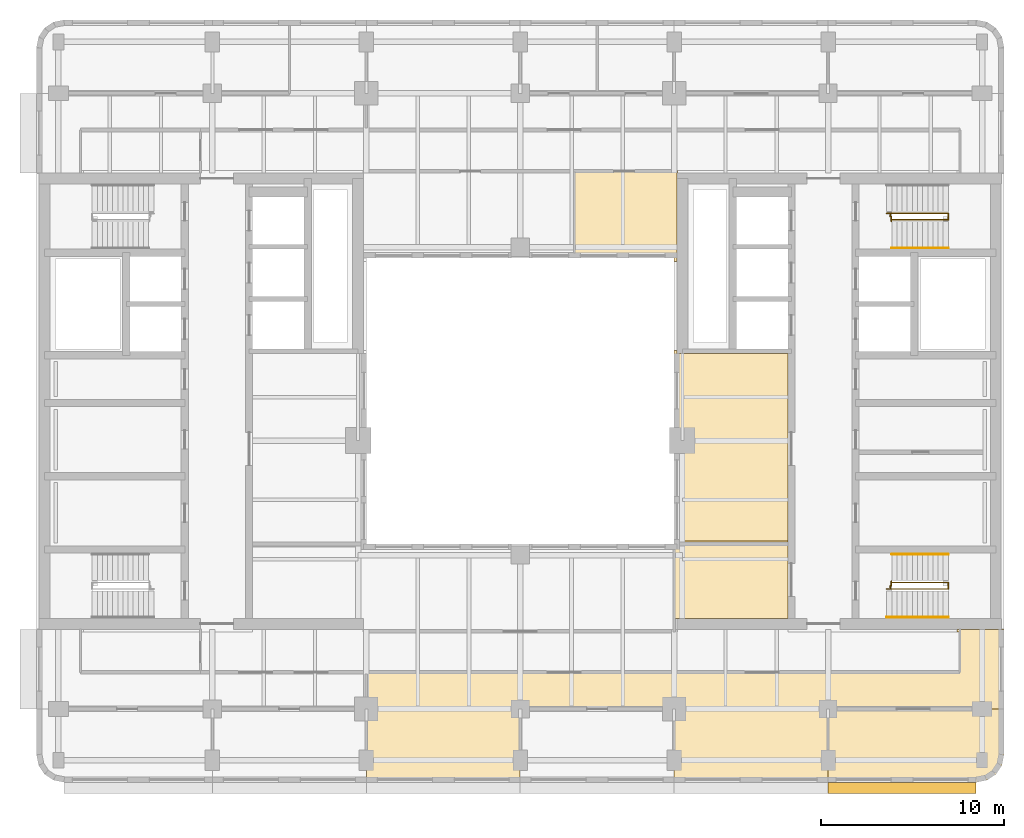
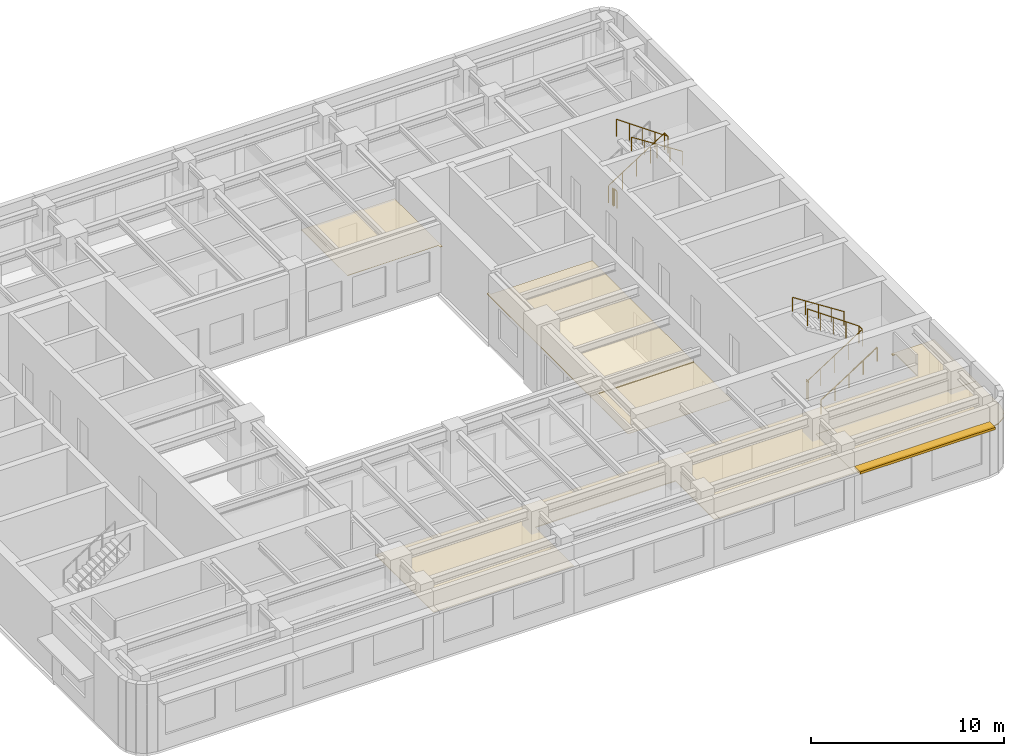
# One storey, part 10 of 11: 7 railings, 5 coverings, 1 shading device.
"""IFC4 building model written with IfcOpenShell, lengths in metres."""

from ifc_helpers import new_model, si_unit, direction, frame, origin, origin_2d, place, context, subcontext, project, spatial, polyline, rectangle, circle, outline, extrude, material, layer, layer_set, type_object, element, save


model = new_model("IFC4")

# Units and contexts
model_context = context("Model", 3, precision=1e-05, world=origin(), true_north=direction((0.0, 1.0)))
body_context = subcontext(model_context, "Body", "Model", "MODEL_VIEW")
ifc_project = project(units=[si_unit("LENGTHUNIT", "METRE"), si_unit("AREAUNIT", "SQUARE_METRE"), si_unit("VOLUMEUNIT", "CUBIC_METRE"), si_unit("PLANEANGLEUNIT", "RADIAN"), si_unit("MASSUNIT", "GRAM", prefix="KILO")], contexts=[model_context])

# Site, building, storey
site_placement = place(None, origin())
site = spatial("IfcSite", under=ifc_project, at=site_placement, CompositionType="ELEMENT")
building_placement = place(site_placement, origin())
building = spatial("IfcBuilding", under=site, at=building_placement, Name="Claustro Exchange Tower", CompositionType="ELEMENT")
storey_placement = place(building_placement, frame((0.0, 0.0, 272.699951171875)))
storey = spatial("IfcBuildingStorey", under=building, at=storey_placement, Name="L62", CompositionType="ELEMENT", Elevation=272.699951171875)

# Coverings
ifc_material_1 = material(Name="Gypsum board ceiling", Category="gypsum board")
ifc_layer_1 = layer(ifc_material_1, 0.02490234375)
ifc_layer_set_1 = layer_set([ifc_layer_1], Name="Gypsum board ceiling")
covering_type_1 = type_object("IfcCoveringType", Name="CL2 plasterboard ceiling", PredefinedType="CEILING", material=ifc_layer_set_1)
covering_1_placement = place(storey_placement, frame((0.0, 0.0, 3.0)))
element("IfcCovering", 1, at=covering_1_placement, inside=storey, type_object=covering_type_1, Name="Ceiling CL2 L62-10", PredefinedType="CEILING", context=body_context, shape_type="SweptSolid", body=[
    extrude(outline(polyline([(33.60009765625, 17.570068359375), (33.60009765625, 13.330078125), (39.800048828125, 13.330078125), (39.800048828125, 17.570068359375), (33.60009765625, 17.570068359375)])), origin(), (0.0, 0.0, 1.0), 0.025146484375),
])
covering_2_placement = place(storey_placement, frame((0.0, 0.0, 3.0)))
element("IfcCovering", 2, at=covering_2_placement, inside=storey, type_object=covering_type_1, Name="Ceiling CL2 L62-14", PredefinedType="CEILING", context=body_context, shape_type="SweptSolid", body=[
    extrude(outline(polyline([(33.60009765625, 33.0), (33.60009765625, 32.830078125), (33.75, 32.830078125), (33.75, 37.64990234375), (33.77001953125, 37.64990234375), (33.77001953125, 37.800048828125), (28.159912109375, 37.800048828125), (28.159912109375, 33.0), (33.60009765625, 33.0)])), origin(), (0.0, 0.0, 1.0), 0.025146484375),
])
ifc_material_2 = material(Name="Oak slats on acoustic backing", Category="wood")
ifc_layer_2 = layer(ifc_material_2, 0.050048828125)
ifc_layer_set_2 = layer_set([ifc_layer_2], Name="Oak slats on acoustic backing")
covering_type_2 = type_object("IfcCoveringType", Name="CL3 timber slat ceiling", PredefinedType="CEILING", material=ifc_layer_set_2)
covering_3_placement = place(storey_placement, frame((0.0, 0.0, 3.0)))
element("IfcCovering", 3, at=covering_3_placement, inside=storey, type_object=covering_type_2, Name="Ceiling CL3 L62-04", PredefinedType="CEILING", context=body_context, shape_type="SweptSolid", body=[
    extrude(outline(polyline([(51.60009765625, 5.89990234375), (51.60009765625, 8.39990234375), (42.0, 8.39990234375), (42.0, 4.39990234375), (50.10009765625, 4.39990234375), (50.674072265625, 4.51416015625), (51.16064453125, 4.83935546875), (51.48583984375, 5.325927734375), (51.60009765625, 5.89990234375)])), origin(), (0.0, 0.0, 1.0), 0.050048828125),
])
covering_4_placement = place(storey_placement, frame((0.0, 0.0, 3.0)))
element("IfcCovering", 4, at=covering_4_placement, inside=storey, type_object=covering_type_2, Name="Ceiling CL3 L62-05", PredefinedType="CEILING", context=body_context, shape_type="SweptSolid", body=[
    extrude(outline(polyline([(51.60009765625, 8.39990234375), (51.60009765625, 12.77001953125), (51.449951171875, 12.77001953125), (51.449951171875, 12.75), (49.030029296875, 12.75), (49.030029296875, 12.60009765625), (49.199951171875, 12.60009765625), (49.199951171875, 10.39990234375), (16.800048828125, 10.39990234375), (16.800048828125, 4.39990234375), (25.199951171875, 4.39990234375), (25.199951171875, 8.39990234375), (33.60009765625, 8.39990234375), (33.60009765625, 4.39990234375), (42.0, 4.39990234375), (42.0, 8.39990234375), (51.60009765625, 8.39990234375)])), origin(), (0.0, 0.0, 1.0), 0.050048828125),
])
covering_5_placement = place(storey_placement, frame((0.0, 0.0, 3.0)))
element("IfcCovering", 5, at=covering_5_placement, inside=storey, type_object=covering_type_2, Name="Ceiling CL3 L62-12", PredefinedType="CEILING", context=body_context, shape_type="SweptSolid", body=[
    extrude(outline(polyline([(33.60009765625, 27.969970703125), (33.60009765625, 17.22998046875), (39.800048828125, 17.22998046875), (39.800048828125, 27.800048828125), (33.75, 27.800048828125), (33.75, 27.969970703125), (33.60009765625, 27.969970703125)])), origin(), (0.0, 0.0, 1.0), 0.050048828125),
])

# Railings
ifc_material_3 = material(Name="Steel balustrade, painted", Category="steel")
railing_type_1 = type_object("IfcRailingType", Name="GR2 1100 steel stair guard", PredefinedType="GUARDRAIL", material=ifc_material_3)
railing_1_placement = place(storey_placement, frame((45.199951171875, 14.949951171875, 0.179931640625)))
element("IfcRailing", 6, at=railing_1_placement, inside=storey, type_object=railing_type_1, Name="Stair well guard GR2 stair STEA L62", PredefinedType="GUARDRAIL", context=body_context, shape_type="SweptSolid", body=[
    extrude(circle(Radius=0.02392578125, at=origin_2d()), frame((0.0, 0.0, 1.076171875), z_axis=(0.8411685463, 0.0, 0.540773036232), x_axis=(0.0, 1.0, 0.0)), (0.0, 0.0, 1.0), 3.99462890625),
    extrude(circle(Radius=0.02392578125, at=origin_2d()), frame((3.360107421875, 0.0, 3.236328125), z_axis=(0.0, 1.0, 0.0), x_axis=(-1.0, 0.0, 0.0)), (0.0, 0.0, 1.0), 0.35009765625),
    extrude(circle(Radius=0.02392578125, at=origin_2d()), frame((3.360107421875, 0.35009765625, 3.236328125), z_axis=(-0.8187499073, 0.0, 0.574150319426), x_axis=(0.0, -1.0, 0.0)), (0.0, 0.0, 1.0), 3.761962890625),
    extrude(circle(Radius=0.02099609375, at=origin_2d()), origin(), (0.0, 0.0, 1.0), 1.052001953125),
    extrude(circle(Radius=0.02099609375, at=origin_2d()), frame((0.840087890625, 0.0, 0.5400390625)), (0.0, 0.0, 1.0), 1.052001953125),
    extrude(circle(Radius=0.02099609375, at=origin_2d()), frame((1.68017578125, 0.0, 1.080078125)), (0.0, 0.0, 1.0), 1.052001953125),
    extrude(circle(Radius=0.02099609375, at=origin_2d()), frame((2.52001953125, 0.0, 1.6201171875)), (0.0, 0.0, 1.0), 1.052001953125),
    extrude(circle(Radius=0.02099609375, at=origin_2d()), frame((3.360107421875, 0.0, 2.16015625)), (0.0, 0.0, 1.0), 1.052001953125),
    extrude(circle(Radius=0.02099609375, at=origin_2d()), frame((3.360107421875, 0.35009765625, 2.16015625)), (0.0, 0.0, 1.0), 1.052001953125),
    extrude(circle(Radius=0.02099609375, at=origin_2d()), frame((2.590087890625, 0.35009765625, 2.7001953125)), (0.0, 0.0, 1.0), 1.052001953125),
    extrude(circle(Radius=0.02099609375, at=origin_2d()), frame((1.820068359375, 0.35009765625, 3.240234375)), (0.0, 0.0, 1.0), 1.052001953125),
    extrude(circle(Radius=0.02099609375, at=origin_2d()), frame((1.050048828125, 0.35009765625, 3.780029296875)), (0.0, 0.0, 1.0), 1.052001953125),
    extrude(circle(Radius=0.02099609375, at=origin_2d()), frame((0.280029296875, 0.35009765625, 4.320068359375)), (0.0, 0.0, 1.0), 1.052001953125),
])
railing_2_placement = place(storey_placement, frame((45.39990234375, 15.02001953125, 0.0)))
element("IfcRailing", 7, at=railing_2_placement, inside=storey, type_object=railing_type_1, Name="Stair guard GR2 STEA L62", PredefinedType="GUARDRAIL", context=body_context, shape_type="SweptSolid", body=[
    extrude(circle(Radius=0.02392578125, at=origin_2d()), frame((0.0, 0.0, 1.076171875), z_axis=(0.0, 1.0, 0.0), x_axis=(-1.0, 0.0, 0.0)), (0.0, 0.0, 1.0), 0.10498046875),
    extrude(circle(Radius=0.02392578125, at=origin_2d()), frame((0.0, 0.10498046875, 1.076171875), z_axis=(1.0, 0.0, 0.0), x_axis=(0.0, 1.0, 0.0)), (0.0, 0.0, 1.0), 0.05517578125),
    extrude(circle(Radius=0.02392578125, at=origin_2d()), frame((0.05517578125, 0.10498046875, 1.076171875), z_axis=(0.0, 1.0, 0.0), x_axis=(-1.0, 0.0, 0.0)), (0.0, 0.0, 1.0), 0.2548828125),
    extrude(circle(Radius=0.02099609375, at=origin_2d()), origin(), (0.0, 0.0, 1.0), 1.052001953125),
    extrude(circle(Radius=0.02099609375, at=origin_2d()), frame((0.0, 0.10498046875, 0.0)), (0.0, 0.0, 1.0), 1.052001953125),
    extrude(circle(Radius=0.02099609375, at=origin_2d()), frame((0.05517578125, 0.10498046875, 0.0)), (0.0, 0.0, 1.0), 1.052001953125),
    extrude(circle(Radius=0.02099609375, at=origin_2d()), frame((0.05517578125, 0.35986328125, 0.0)), (0.0, 0.0, 1.0), 1.052001953125),
])
railing_3_placement = place(storey_placement, frame((45.199951171875, 35.449951171875, 0.179931640625)))
element("IfcRailing", 8, at=railing_3_placement, inside=storey, type_object=railing_type_1, Name="Stair well guard GR2 stair STEB L62", PredefinedType="GUARDRAIL", context=body_context, shape_type="SweptSolid", body=[
    extrude(circle(Radius=0.02392578125, at=origin_2d()), frame((0.0, 0.0, 1.076171875), z_axis=(0.8411685463, 0.0, 0.540773036232), x_axis=(0.0, 1.0, 0.0)), (0.0, 0.0, 1.0), 3.99462890625),
    extrude(circle(Radius=0.02392578125, at=origin_2d()), frame((3.360107421875, 0.0, 3.236328125), z_axis=(0.0, -1.0, 0.0), x_axis=(1.0, 0.0, 0.0)), (0.0, 0.0, 1.0), 0.349853515625),
    extrude(circle(Radius=0.02392578125, at=origin_2d()), frame((3.360107421875, -0.349853515625, 3.236328125), z_axis=(-0.8187499073, 0.0, 0.574150319426), x_axis=(0.0, -1.0, 0.0)), (0.0, 0.0, 1.0), 3.761962890625),
    extrude(circle(Radius=0.02099609375, at=origin_2d()), origin(), (0.0, 0.0, 1.0), 1.052001953125),
    extrude(circle(Radius=0.02099609375, at=origin_2d()), frame((0.840087890625, 0.0, 0.5400390625)), (0.0, 0.0, 1.0), 1.052001953125),
    extrude(circle(Radius=0.02099609375, at=origin_2d()), frame((1.68017578125, 0.0, 1.080078125)), (0.0, 0.0, 1.0), 1.052001953125),
    extrude(circle(Radius=0.02099609375, at=origin_2d()), frame((2.52001953125, 0.0, 1.6201171875)), (0.0, 0.0, 1.0), 1.052001953125),
    extrude(circle(Radius=0.02099609375, at=origin_2d()), frame((3.360107421875, 0.0, 2.16015625)), (0.0, 0.0, 1.0), 1.052001953125),
    extrude(circle(Radius=0.02099609375, at=origin_2d()), frame((3.360107421875, -0.349853515625, 2.16015625)), (0.0, 0.0, 1.0), 1.052001953125),
    extrude(circle(Radius=0.02099609375, at=origin_2d()), frame((2.590087890625, -0.349853515625, 2.7001953125)), (0.0, 0.0, 1.0), 1.052001953125),
    extrude(circle(Radius=0.02099609375, at=origin_2d()), frame((1.820068359375, -0.349853515625, 3.240234375)), (0.0, 0.0, 1.0), 1.052001953125),
    extrude(circle(Radius=0.02099609375, at=origin_2d()), frame((1.050048828125, -0.349853515625, 3.780029296875)), (0.0, 0.0, 1.0), 1.052001953125),
    extrude(circle(Radius=0.02099609375, at=origin_2d()), frame((0.280029296875, -0.349853515625, 4.320068359375)), (0.0, 0.0, 1.0), 1.052001953125),
])
railing_4_placement = place(storey_placement, frame((45.39990234375, 35.3798828125, 0.0)))
element("IfcRailing", 9, at=railing_4_placement, inside=storey, type_object=railing_type_1, Name="Stair guard GR2 STEB L62", PredefinedType="GUARDRAIL", context=body_context, shape_type="SweptSolid", body=[
    extrude(circle(Radius=0.02392578125, at=origin_2d()), frame((0.0, 0.0, 1.076171875), z_axis=(0.0, -1.0, 0.0), x_axis=(1.0, 0.0, 0.0)), (0.0, 0.0, 1.0), 0.10498046875),
    extrude(circle(Radius=0.02392578125, at=origin_2d()), frame((0.0, -0.10498046875, 1.076171875), z_axis=(1.0, 0.0, 0.0), x_axis=(0.0, 1.0, 0.0)), (0.0, 0.0, 1.0), 0.05517578125),
    extrude(circle(Radius=0.02392578125, at=origin_2d()), frame((0.05517578125, -0.10498046875, 1.076171875), z_axis=(0.0, -1.0, 0.0), x_axis=(1.0, 0.0, 0.0)), (0.0, 0.0, 1.0), 0.2548828125),
    extrude(circle(Radius=0.02099609375, at=origin_2d()), origin(), (0.0, 0.0, 1.0), 1.052001953125),
    extrude(circle(Radius=0.02099609375, at=origin_2d()), frame((0.0, -0.10498046875, 0.0)), (0.0, 0.0, 1.0), 1.052001953125),
    extrude(circle(Radius=0.02099609375, at=origin_2d()), frame((0.05517578125, -0.10498046875, 0.0)), (0.0, 0.0, 1.0), 1.052001953125),
    extrude(circle(Radius=0.02099609375, at=origin_2d()), frame((0.05517578125, -0.35986328125, 0.0)), (0.0, 0.0, 1.0), 1.052001953125),
])
ifc_material_4 = material(Name="Stainless steel tube", Category="steel")
railing_type_2 = type_object("IfcRailingType", Name="HR1 900 stair handrail", PredefinedType="HANDRAIL", material=ifc_material_4)
railing_5_placement = place(storey_placement, frame((45.199951171875, 13.409912109375, 0.179931640625)))
element("IfcRailing", 10, at=railing_5_placement, inside=storey, type_object=railing_type_2, Name="Handrail HR1 stair STEA L62", PredefinedType="HANDRAIL", context=body_context, shape_type="SweptSolid", body=[
    extrude(circle(Radius=0.02392578125, at=origin_2d()), frame((0.0, 0.0, 0.8759765625), z_axis=(0.8411685463, 0.0, 0.540773036232), x_axis=(0.0, 1.0, 0.0)), (0.0, 0.0, 1.0), 3.99462890625),
    extrude(circle(Radius=0.02099609375, at=origin_2d()), origin(), (0.0, 0.0, 1.0), 0.851806640625),
    extrude(circle(Radius=0.02099609375, at=origin_2d()), frame((0.840087890625, 0.0, 0.5400390625)), (0.0, 0.0, 1.0), 0.851806640625),
    extrude(circle(Radius=0.02099609375, at=origin_2d()), frame((1.68017578125, 0.0, 1.080078125)), (0.0, 0.0, 1.0), 0.851806640625),
    extrude(circle(Radius=0.02099609375, at=origin_2d()), frame((2.52001953125, 0.0, 1.6201171875)), (0.0, 0.0, 1.0), 0.851806640625),
    extrude(circle(Radius=0.02099609375, at=origin_2d()), frame((3.360107421875, 0.0, 2.16015625)), (0.0, 0.0, 1.0), 0.851806640625),
])
for number, where, name in (
    (11, (48.56005859375, 16.840087890625, 2.52001953125), "Handrail HR1 stair STEA L62"),
    (12, (48.56005859375, 33.56005859375, 2.52001953125), "Handrail HR1 stair STEB L62"),
):
    element("IfcRailing", number, at=place(storey_placement, frame(where)), inside=storey, type_object=railing_type_2, Name=name, PredefinedType="HANDRAIL", context=body_context, shape_type="SweptSolid", body=[
        extrude(circle(Radius=0.02392578125, at=origin_2d()), frame((0.0, 0.0, 0.8759765625), z_axis=(-0.84118714077, 0.0, 0.540744111576), x_axis=(0.0, -1.0, 0.0)), (0.0, 0.0, 1.0), 3.66162109375),
        extrude(circle(Radius=0.02099609375, at=origin_2d()), origin(), (0.0, 0.0, 1.0), 0.851806640625),
        extrude(circle(Radius=0.02099609375, at=origin_2d()), frame((-0.77001953125, 0.0, 0.4951171875)), (0.0, 0.0, 1.0), 0.851806640625),
        extrude(circle(Radius=0.02099609375, at=origin_2d()), frame((-1.5400390625, 0.0, 0.989990234375)), (0.0, 0.0, 1.0), 0.851806640625),
        extrude(circle(Radius=0.02099609375, at=origin_2d()), frame((-2.31005859375, 0.0, 1.48486328125)), (0.0, 0.0, 1.0), 0.851806640625),
        extrude(circle(Radius=0.02099609375, at=origin_2d()), frame((-3.080078125, 0.0, 1.97998046875)), (0.0, 0.0, 1.0), 0.851806640625),
    ])

# Shading device
ifc_material_5 = material(Name="Concrete HA-40 (C40/50), precast, white cement, acid-etched", Category="concrete")
ifc_layer_3 = layer(ifc_material_5, 0.14990234375)
ifc_layer_set_3 = layer_set([ifc_layer_3], Name="Concrete HA-40 (C40/50), precast, white cement, acid-etched")
shading_device_type = type_object("IfcShadingDeviceType", Name="SS1 600 precast concrete SUNSHADE", PredefinedType="SHUTTER", material=ifc_layer_set_3)
shading_device_placement = place(storey_placement, frame((46.04248046875, 4.10009765625, 3.300048828125), z_axis=(0.0, 0.0, 1.0), x_axis=(-1.0, 0.0, 0.0)))
element("IfcShadingDevice", 13, at=shading_device_placement, inside=storey, type_object=shading_device_type, Name="Precast SUNSHADE SS1 L62", PredefinedType="SHUTTER", context=body_context, shape_type="SweptSolid", body=[
    extrude(rectangle(XDim=8.085205078125, YDim=0.60009765625, at=origin_2d()), origin(), (0.0, 0.0, 1.0), 0.14990234375),
])

save(model, "model.ifc")
